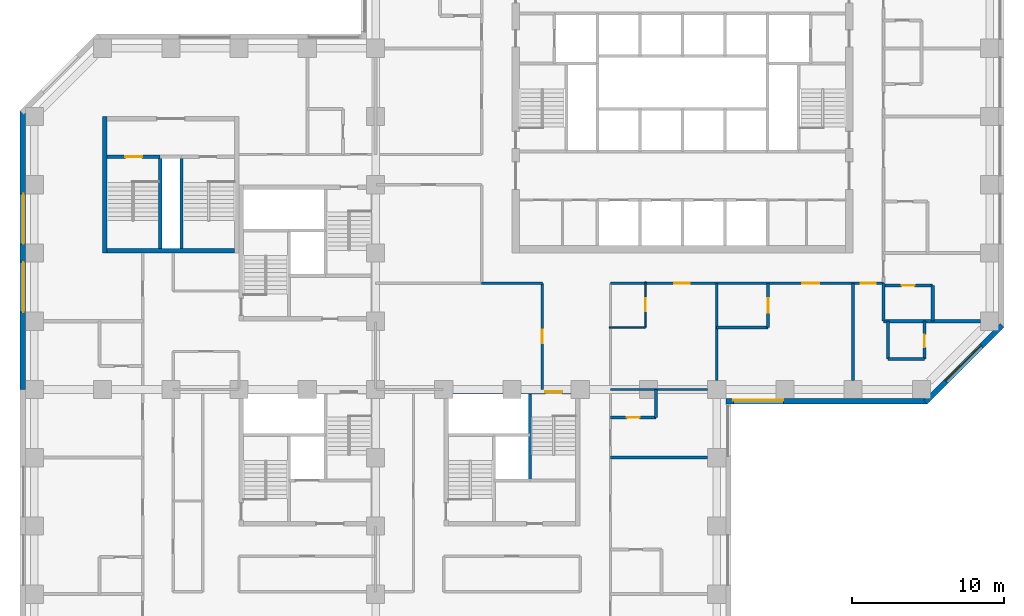
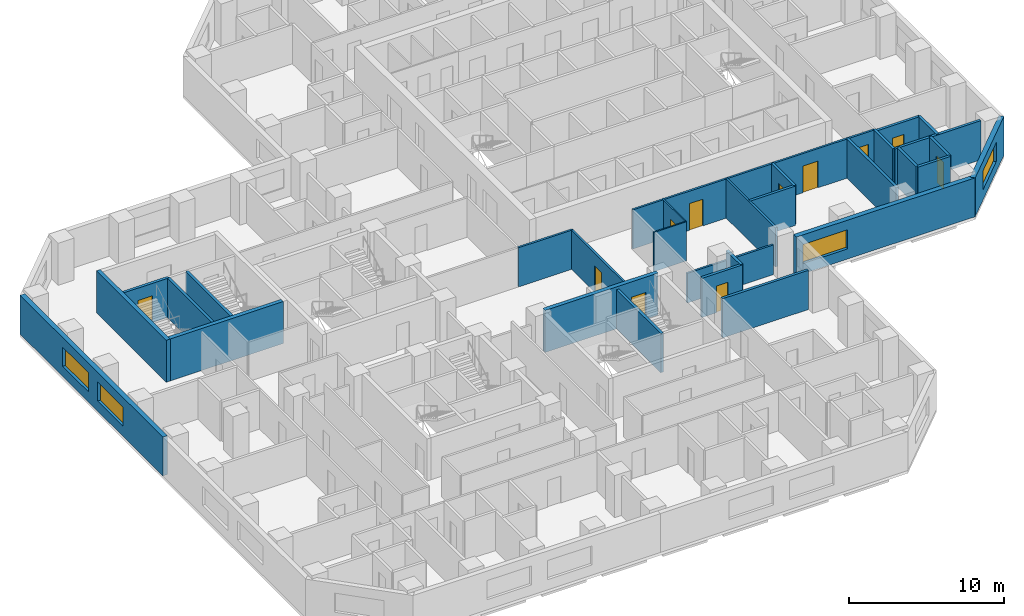
# One storey, part 5 of 12: 30 walls, 11 doors, 4 windows, 15 openings.
"""IFC4 building model written with IfcOpenShell, lengths in metres."""

from ifc_helpers import new_model, si_unit, direction, frame, frame_2d, origin, place, context, subcontext, project, spatial, rectangle, extrude, material, layer, layer_set, constituent, constituent_set, type_object, element, fill, save


model = new_model("IFC4")

# Units and contexts
model_context = context("Model", 3, precision=1e-05, world=origin(), true_north=direction((0.0, 1.0)))
body_context = subcontext(model_context, "Body", "Model", "MODEL_VIEW")
ifc_project = project(units=[si_unit("LENGTHUNIT", "METRE"), si_unit("AREAUNIT", "SQUARE_METRE"), si_unit("VOLUMEUNIT", "CUBIC_METRE"), si_unit("PLANEANGLEUNIT", "RADIAN"), si_unit("MASSUNIT", "GRAM", prefix="KILO")], contexts=[model_context])

# Site, building, storey
site_placement = place(None, origin())
site = spatial("IfcSite", under=ifc_project, at=site_placement, CompositionType="ELEMENT")
building_placement = place(site_placement, origin())
building = spatial("IfcBuilding", under=site, at=building_placement, Name="Quoin Convention Tower", CompositionType="ELEMENT")
storey_placement = place(building_placement, frame((0.0, 0.0, 46.199951171875)))
storey = spatial("IfcBuildingStorey", under=building, at=storey_placement, Name="L11", CompositionType="ELEMENT", Elevation=46.199951171875)

# Wall, opening, window
ifc_material_1 = material(Name="Brick masonry", Category="masonry")
ifc_layer_1 = layer(ifc_material_1, 0.35009765625)
ifc_layer_set_1 = layer_set([ifc_layer_1], Name="Brick masonry")
wall_type_1 = type_object("IfcWallType", Name="Brick facade wall", PredefinedType="STANDARD", material=ifc_layer_set_1)
wall_1_placement = place(storey_placement, frame((59.10009765625, 39.72509765625, 0.0), z_axis=(0.0, 0.0, 1.0), x_axis=(1.0, 0.0, 0.0)))
wall_1 = element("IfcWall", 1, at=wall_1_placement, inside=storey, type_object=wall_type_1, Name="fw-L11-58500_40500", PredefinedType="STANDARD", context=body_context, shape_type="SweptSolid", body=[
    extrude(rectangle(XDim=13.29345703125, YDim=0.35009765625, at=frame_2d((6.646728515625, 0.0))), origin(), (0.0, 0.0, 1.0), 3.054931640625),
])
opening_1_placement = place(wall_1_placement, frame((0.5, 0.0, 0.800048828125)))
opening_1 = element("IfcOpeningElement", 2, at=opening_1_placement, cuts=wall_1, Name="Opening W-01", PredefinedType="OPENING", context=body_context, shape_type="SweptSolid", body=[
    extrude(rectangle(XDim=3.300048828125, YDim=1.5, at=frame_2d((1.64990234375, 0.75))), frame((0.0, 0.18505859375, 0.0), z_axis=(0.0, -1.0, 0.0), x_axis=(1.0, 0.0, 0.0)), (0.0, 0.0, 1.0), 0.3701171875),
])
ifc_material_2 = material(Name="Aluminium", Category="aluminium")
ifc_constituent_1 = constituent(ifc_material_2, Name="Frame")
ifc_material_3 = material(Name="Insulated glass", Category="glass")
ifc_constituent_2 = constituent(ifc_material_3, Name="Glazing")
ifc_constituent_set = constituent_set(constituents=[ifc_constituent_1, ifc_constituent_2], Name="Aluminium")
window_type = type_object("IfcWindowType", Name="Hotel strip window", PartitioningType="DOUBLE_PANEL_VERTICAL", PredefinedType="WINDOW", material=ifc_constituent_set)
window_1_placement = place(opening_1_placement, origin())
window_1 = element("IfcWindow", 3, at=window_1_placement, inside=storey, type_object=window_type, Name="win-L11-60750_39725", OverallHeight=1.5, OverallWidth=3.300048828125, PartitioningType="SINGLE_PANEL", PredefinedType="WINDOW", context=body_context, shape_type="SweptSolid", body=[
    extrude(rectangle(XDim=3.300048828125, YDim=1.5, at=frame_2d((1.64990234375, 0.75))), frame((0.0, 0.0849609375, 0.0), z_axis=(0.0, -1.0, 0.0), x_axis=(1.0, 0.0, 0.0)), (0.0, 0.0, 1.0), 0.06005859375),
])
fill(opening_1, window_1)

wall_2_placement = place(storey_placement, frame((72.269775390625, 39.673583984375, 0.0), z_axis=(0.0, 0.0, 1.0), x_axis=(0.707106781187, 0.707106781187, 0.0)))
wall_2 = element("IfcWall", 4, at=wall_2_placement, inside=storey, type_object=wall_type_1, Name="fw-L11-72000_40500", PredefinedType="STANDARD", context=body_context, shape_type="SweptSolid", body=[
    extrude(rectangle(XDim=7.151123046875, YDim=0.35009765625, at=frame_2d((3.57568359375, 0.0))), origin(), (0.0, 0.0, 1.0), 3.054931640625),
])
opening_2_placement = place(wall_2_placement, frame((1.925537109375, 0.0, 0.800048828125)))
opening_2 = element("IfcOpeningElement", 5, at=opening_2_placement, cuts=wall_2, Name="Opening W-01", PredefinedType="OPENING", context=body_context, shape_type="SweptSolid", body=[
    extrude(rectangle(XDim=3.300048828125, YDim=1.5, at=frame_2d((1.64990234375, 0.75))), frame((0.0, 0.18505859375, 0.0), z_axis=(0.0, -1.0, 0.0), x_axis=(1.0, 0.0, 0.0)), (0.0, 0.0, 1.0), 0.3701171875),
])
window_2_placement = place(opening_2_placement, origin())
window_2 = element("IfcWindow", 6, at=window_2_placement, inside=storey, type_object=window_type, Name="win-L11-74798_42202", OverallHeight=1.5, OverallWidth=3.300048828125, PartitioningType="SINGLE_PANEL", PredefinedType="WINDOW", context=body_context, shape_type="SweptSolid", body=[
    extrude(rectangle(XDim=3.300048828125, YDim=1.5, at=frame_2d((1.64990234375, 0.75))), frame((0.0, 0.0849609375, 0.0), z_axis=(0.0, -1.0, 0.0), x_axis=(1.0, 0.0, 0.0)), (0.0, 0.0, 1.0), 0.06005859375),
])
fill(opening_2, window_2)

# Wall, openings, windows
wall_3_placement = place(storey_placement, frame((12.72509765625, 58.8935546875, 0.0), z_axis=(0.0, 0.0, 1.0), x_axis=(0.0, -1.0, 0.0)))
wall_3 = element("IfcWall", 7, at=wall_3_placement, inside=storey, type_object=wall_type_1, Name="fw-L11-13500_58500", PredefinedType="STANDARD", context=body_context, shape_type="SweptSolid", body=[
    extrude(rectangle(XDim=18.3935546875, YDim=0.35009765625, at=frame_2d((9.19677734375, 0.0))), origin(), (0.0, 0.0, 1.0), 3.054931640625),
])
opening_3_placement = place(wall_3_placement, frame((5.493408203125, 0.0, 0.800048828125)))
opening_3 = element("IfcOpeningElement", 8, at=opening_3_placement, cuts=wall_3, Name="Opening W-01", PredefinedType="OPENING", context=body_context, shape_type="SweptSolid", body=[
    extrude(rectangle(XDim=3.300048828125, YDim=1.5, at=frame_2d((1.64990234375, 0.75))), frame((0.0, 0.18505859375, 0.0), z_axis=(0.0, -1.0, 0.0), x_axis=(1.0, 0.0, 0.0)), (0.0, 0.0, 1.0), 0.3701171875),
])
opening_4_placement = place(wall_3_placement, frame((9.993408203125, 0.0, 0.800048828125)))
opening_4 = element("IfcOpeningElement", 9, at=opening_4_placement, cuts=wall_3, Name="Opening W-01", PredefinedType="OPENING", context=body_context, shape_type="SweptSolid", body=[
    extrude(rectangle(XDim=3.300048828125, YDim=1.5, at=frame_2d((1.64990234375, 0.75))), frame((0.0, 0.18505859375, 0.0), z_axis=(0.0, -1.0, 0.0), x_axis=(1.0, 0.0, 0.0)), (0.0, 0.0, 1.0), 0.3701171875),
])
window_3_placement = place(opening_3_placement, origin())
window_3 = element("IfcWindow", 10, at=window_3_placement, inside=storey, type_object=window_type, Name="win-L11-12725_51750", OverallHeight=1.5, OverallWidth=3.300048828125, PartitioningType="SINGLE_PANEL", PredefinedType="WINDOW", context=body_context, shape_type="SweptSolid", body=[
    extrude(rectangle(XDim=3.300048828125, YDim=1.5, at=frame_2d((1.64990234375, 0.75))), frame((0.0, 0.0849609375, 0.0), z_axis=(0.0, -1.0, 0.0), x_axis=(1.0, 0.0, 0.0)), (0.0, 0.0, 1.0), 0.06005859375),
])
fill(opening_3, window_3)
window_4_placement = place(opening_4_placement, origin())
window_4 = element("IfcWindow", 11, at=window_4_placement, inside=storey, type_object=window_type, Name="win-L11-12725_47250", OverallHeight=1.5, OverallWidth=3.300048828125, PartitioningType="SINGLE_PANEL", PredefinedType="WINDOW", context=body_context, shape_type="SweptSolid", body=[
    extrude(rectangle(XDim=3.300048828125, YDim=1.5, at=frame_2d((1.64990234375, 0.75))), frame((0.0, 0.0849609375, 0.0), z_axis=(0.0, -1.0, 0.0), x_axis=(1.0, 0.0, 0.0)), (0.0, 0.0, 1.0), 0.06005859375),
])
fill(opening_4, window_4)

# Wall
ifc_material_4 = material(Name="Concrete C50", Category="concrete")
ifc_layer_2 = layer(ifc_material_4, 0.199951171875)
ifc_layer_set_2 = layer_set([ifc_layer_2], Name="Concrete C50")
wall_type_2 = type_object("IfcWallType", Name="Core shaft wall", PredefinedType="SOLIDWALL", material=ifc_layer_set_2)
wall_4_placement = place(storey_placement, frame((46.199951171875, 34.5, 0.0), z_axis=(0.0, 0.0, 1.0), x_axis=(0.0, 1.0, 0.0)))
element("IfcWall", 12, at=wall_4_placement, inside=storey, type_object=wall_type_2, Name="cr-P3-L11-v5700_3000", PredefinedType="SOLIDWALL", context=body_context, shape_type="SweptSolid", body=[
    extrude(rectangle(XDim=5.699951171875, YDim=0.199951171875, at=frame_2d((2.85009765625, 0.0))), origin(), (0.0, 0.0, 1.0), 3.080078125),
])

# Wall, opening, door
wall_5_placement = place(storey_placement, frame((18.300048828125, 55.85009765625, 0.0), z_axis=(0.0, 0.0, 1.0), x_axis=(1.0, 0.0, 0.0)))
wall_5 = element("IfcWall", 13, at=wall_5_placement, inside=storey, type_object=wall_type_2, Name="cr-P6-L11-h6350_300", PredefinedType="SOLIDWALL", context=body_context, shape_type="SweptSolid", body=[
    extrude(rectangle(XDim=3.5, YDim=0.199951171875, at=frame_2d((1.75, 0.0))), origin(), (0.0, 0.0, 1.0), 3.080078125),
])
opening_5_placement = place(wall_5_placement, frame((1.199951171875, 0.0, 0.0)))
opening_5 = element("IfcOpeningElement", 14, at=opening_5_placement, cuts=wall_5, Name="Opening SD11", PredefinedType="OPENING", context=body_context, shape_type="SweptSolid", body=[
    extrude(rectangle(XDim=1.10009765625, YDim=2.10009765625, at=frame_2d((0.550048828125, 1.050048828125))), frame((0.0, 0.10986328125, 0.0), z_axis=(0.0, -1.0, 0.0), x_axis=(1.0, 0.0, 0.0)), (0.0, 0.0, 1.0), 0.219970703125),
])
ifc_material_5 = material(Name="Steel door leaf", Category="steel")
door_type_1 = type_object("IfcDoorType", Name="Stair door 1100 x 2100", OperationType="SINGLE_SWING_RIGHT", PredefinedType="DOOR", material=ifc_material_5)
door_1_placement = place(opening_5_placement, origin())
door_1 = element("IfcDoor", 15, at=door_1_placement, inside=storey, type_object=door_type_1, Name="cd-P6-L11-SA-R2-SD11", OperationType="SINGLE_SWING_RIGHT", OverallHeight=2.10009765625, OverallWidth=1.10009765625, PredefinedType="DOOR", context=body_context, shape_type="SweptSolid", body=[
    extrude(rectangle(XDim=1.10009765625, YDim=2.10009765625, at=frame_2d((0.550048828125, 1.050048828125))), frame((0.0, 0.02490234375, 0.0), z_axis=(0.0, -1.0, 0.0), x_axis=(1.0, 0.0, 0.0)), (0.0, 0.0, 1.0), 0.050048828125),
])
fill(opening_5, door_1)

# Walls
for number, where, z_axis, x_axis, name in (
    (16, (21.800048828125, 49.800048828125, 0.0), (0.0, 0.0, 1.0), (0.0, 1.0, 0.0), "cr-P6-L11-v3800_300"),
    (17, (23.199951171875, 49.800048828125, 0.0), (0.0, 0.0, 1.0), (0.0, 1.0, 0.0), "cr-P6-L11-v5200_300"),
):
    element("IfcWall", number, at=place(storey_placement, frame(where, z_axis=z_axis, x_axis=x_axis)), inside=storey, type_object=wall_type_2, Name=name, PredefinedType="SOLIDWALL", context=body_context, shape_type="SweptSolid", body=[
        extrude(rectangle(XDim=6.050048828125, YDim=0.199951171875, at=frame_2d((3.02490234375, 0.0))), origin(), (0.0, 0.0, 1.0), 3.080078125),
    ])

# Wall, opening, door
ifc_material_6 = material(Name="Concrete C80", Category="concrete")
ifc_layer_3 = layer(ifc_material_6, 0.300048828125)
ifc_layer_set_3 = layer_set([ifc_layer_3], Name="Concrete C80")
wall_type_3 = type_object("IfcWallType", Name="RC CORE WALL 300 C80", PredefinedType="SHEAR", material=ifc_layer_set_3)
wall_6_placement = place(storey_placement, frame((40.800048828125, 40.35009765625, 0.0), z_axis=(0.0, 0.0, 1.0), x_axis=(1.0, 0.0, 0.0)))
wall_6 = element("IfcWall", 18, at=wall_6_placement, inside=storey, type_object=wall_type_3, Name="cwl-P3-L11-N", PredefinedType="SHEAR", context=body_context, shape_type="SweptSolid", body=[
    extrude(rectangle(XDim=8.39990234375, YDim=0.300048828125, at=frame_2d((4.199951171875, 0.0))), origin(), (0.0, 0.0, 1.0), 3.300048828125),
])
opening_6_placement = place(wall_6_placement, frame((6.39990234375, 0.0, 0.0)))
opening_6 = element("IfcOpeningElement", 19, at=opening_6_placement, cuts=wall_6, Name="Opening SD6", PredefinedType="OPENING", context=body_context, shape_type="SweptSolid", body=[
    extrude(rectangle(XDim=1.10009765625, YDim=2.10009765625, at=frame_2d((0.550048828125, 1.050048828125))), frame((0.0, 0.159912109375, 0.0), z_axis=(0.0, -1.0, 0.0), x_axis=(1.0, 0.0, 0.0)), (0.0, 0.0, 1.0), 0.320068359375),
])
door_2_placement = place(opening_6_placement, frame((1.10009765625, 0.0, 0.0), z_axis=(0.0, 0.0, 1.0), x_axis=(-1.0, 0.0, 0.0)))
door_2 = element("IfcDoor", 20, at=door_2_placement, inside=storey, type_object=door_type_1, Name="cd-P3-L11-SB-N", OperationType="SINGLE_SWING_LEFT", OverallHeight=2.10009765625, OverallWidth=1.10009765625, PredefinedType="DOOR", context=body_context, shape_type="SweptSolid", body=[
    extrude(rectangle(XDim=1.10009765625, YDim=2.10009765625, at=frame_2d((0.550048828125, 1.050048828125))), frame((0.0, 0.02490234375, 0.0), z_axis=(0.0, -1.0, 0.0), x_axis=(1.0, 0.0, 0.0)), (0.0, 0.0, 1.0), 0.050048828125),
])
fill(opening_6, door_2)

# Walls
wall_7_placement = place(storey_placement, frame((18.300048828125, 49.64990234375, 0.0), z_axis=(0.0, 0.0, 1.0), x_axis=(1.0, 0.0, 0.0)))
element("IfcWall", 21, at=wall_7_placement, inside=storey, type_object=wall_type_3, Name="cwl-P6-L11-S", PredefinedType="SHEAR", context=body_context, shape_type="SweptSolid", body=[
    extrude(rectangle(XDim=8.39990234375, YDim=0.300048828125, at=frame_2d((4.199951171875, 0.0))), origin(), (0.0, 0.0, 1.0), 3.300048828125),
])
wall_8_placement = place(storey_placement, frame((18.14990234375, 49.5, 0.0), z_axis=(0.0, 0.0, 1.0), x_axis=(0.0, 1.0, 0.0)))
element("IfcWall", 22, at=wall_8_placement, inside=storey, type_object=wall_type_3, Name="cwl-P6-L11-W", PredefinedType="SHEAR", context=body_context, shape_type="SweptSolid", body=[
    extrude(rectangle(XDim=9.0, YDim=0.300048828125, at=frame_2d((4.5, 0.0))), origin(), (0.0, 0.0, 1.0), 3.300048828125),
])
ifc_layer_4 = layer(ifc_material_4, 0.199951171875)
ifc_layer_set_4 = layer_set([ifc_layer_4], Name="Concrete C50")
wall_type_4 = type_object("IfcWallType", Name="RC party wall", PredefinedType="SOLIDWALL", material=ifc_layer_set_4)
wall_9_placement = place(storey_placement, frame((51.5, 36.0, 0.0), z_axis=(0.0, 0.0, 1.0), x_axis=(1.0, 0.0, 0.0)))
element("IfcWall", 23, at=wall_9_placement, inside=storey, type_object=wall_type_4, Name="pw-L11-069", PredefinedType="SOLIDWALL", context=body_context, shape_type="SweptSolid", body=[
    extrude(rectangle(XDim=6.39990234375, YDim=0.199951171875, at=frame_2d((3.199951171875, 0.0))), origin(), (0.0, 0.0, 1.0), 3.080078125),
])

# Wall, opening, door
wall_10_placement = place(storey_placement, frame((51.5, 38.64990234375, 0.0), z_axis=(0.0, 0.0, 1.0), x_axis=(1.0, 0.0, 0.0)))
wall_10 = element("IfcWall", 24, at=wall_10_placement, inside=storey, type_object=wall_type_4, Name="pw-L11-070", PredefinedType="SOLIDWALL", context=body_context, shape_type="SweptSolid", body=[
    extrude(rectangle(XDim=3.0, YDim=0.199951171875, at=frame_2d((1.5, 0.0))), origin(), (0.0, 0.0, 1.0), 3.080078125),
])
opening_7_placement = place(wall_10_placement, frame((1.074951171875, 0.0, 0.0)))
opening_7 = element("IfcOpeningElement", 25, at=opening_7_placement, cuts=wall_10, Name="Opening DHOTEL-H-53", PredefinedType="OPENING", context=body_context, shape_type="SweptSolid", body=[
    extrude(rectangle(XDim=0.85009765625, YDim=2.10009765625, at=frame_2d((0.425048828125, 1.050048828125))), frame((0.0, 0.10986328125, 0.0), z_axis=(0.0, -1.0, 0.0), x_axis=(1.0, 0.0, 0.0)), (0.0, 0.0, 1.0), 0.219970703125),
])
door_type_2 = type_object("IfcDoorType", Name="Bathroom door", OperationType="SINGLE_SWING_LEFT", PredefinedType="DOOR", material=ifc_material_5)
door_3_placement = place(opening_7_placement, frame((0.85009765625, 0.0, 0.0), z_axis=(0.0, 0.0, 1.0), x_axis=(-1.0, 0.0, 0.0)))
door_3 = element("IfcDoor", 26, at=door_3_placement, inside=storey, type_object=door_type_2, Name="dr-L11-024", OperationType="SINGLE_SWING_RIGHT", OverallHeight=2.10009765625, OverallWidth=0.85009765625, PredefinedType="DOOR", context=body_context, shape_type="SweptSolid", body=[
    extrude(rectangle(XDim=0.85009765625, YDim=2.10009765625, at=frame_2d((0.425048828125, 1.050048828125))), frame((0.0, 0.02490234375, 0.0), z_axis=(0.0, -1.0, 0.0), x_axis=(1.0, 0.0, 0.0)), (0.0, 0.0, 1.0), 0.050048828125),
])
fill(opening_7, door_3)

# Walls
wall_11_placement = place(storey_placement, frame((54.5, 38.64990234375, 0.0), z_axis=(0.0, 0.0, 1.0), x_axis=(0.0, 1.0, 0.0)))
element("IfcWall", 27, at=wall_11_placement, inside=storey, type_object=wall_type_4, Name="pw-L11-071", PredefinedType="SOLIDWALL", context=body_context, shape_type="SweptSolid", body=[
    extrude(rectangle(XDim=1.85009765625, YDim=0.199951171875, at=frame_2d((0.925048828125, 0.0))), origin(), (0.0, 0.0, 1.0), 3.080078125),
])
wall_12_placement = place(storey_placement, frame((67.5, 41.10009765625, 0.0), z_axis=(0.0, 0.0, 1.0), x_axis=(0.0, 1.0, 0.0)))
element("IfcWall", 28, at=wall_12_placement, inside=storey, type_object=wall_type_4, Name="pw-L11-072", PredefinedType="SOLIDWALL", context=body_context, shape_type="SweptSolid", body=[
    extrude(rectangle(XDim=6.39990234375, YDim=0.199951171875, at=frame_2d((3.199951171875, 0.0))), origin(), (0.0, 0.0, 1.0), 3.080078125),
])
wall_13_placement = place(storey_placement, frame((69.800048828125, 42.5, 0.0), z_axis=(0.0, 0.0, 1.0), x_axis=(1.0, 0.0, 0.0)))
element("IfcWall", 29, at=wall_13_placement, inside=storey, type_object=wall_type_4, Name="pw-L11-075", PredefinedType="SOLIDWALL", context=body_context, shape_type="SweptSolid", body=[
    extrude(rectangle(XDim=2.39990234375, YDim=0.199951171875, at=frame_2d((1.199951171875, 0.0))), origin(), (0.0, 0.0, 1.0), 3.080078125),
])
wall_14_placement = place(storey_placement, frame((69.800048828125, 42.5, 0.0), z_axis=(0.0, 0.0, 1.0), x_axis=(0.0, 1.0, 0.0)))
element("IfcWall", 30, at=wall_14_placement, inside=storey, type_object=wall_type_4, Name="pw-L11-076", PredefinedType="SOLIDWALL", context=body_context, shape_type="SweptSolid", body=[
    extrude(rectangle(XDim=2.5, YDim=0.199951171875, at=frame_2d((1.25, 0.0))), origin(), (0.0, 0.0, 1.0), 3.080078125),
])

# Wall, opening, door
wall_15_placement = place(storey_placement, frame((72.199951171875, 42.5, 0.0), z_axis=(0.0, 0.0, 1.0), x_axis=(0.0, 1.0, 0.0)))
wall_15 = element("IfcWall", 31, at=wall_15_placement, inside=storey, type_object=wall_type_4, Name="pw-L11-077", PredefinedType="SOLIDWALL", context=body_context, shape_type="SweptSolid", body=[
    extrude(rectangle(XDim=2.5, YDim=0.199951171875, at=frame_2d((1.25, 0.0))), origin(), (0.0, 0.0, 1.0), 3.080078125),
])
opening_8_placement = place(wall_15_placement, frame((0.77490234375, 0.0, 0.0)))
opening_8 = element("IfcOpeningElement", 32, at=opening_8_placement, cuts=wall_15, Name="Opening DHOTEL-H-55", PredefinedType="OPENING", context=body_context, shape_type="SweptSolid", body=[
    extrude(rectangle(XDim=0.85009765625, YDim=2.10009765625, at=frame_2d((0.425048828125, 1.050048828125))), frame((0.0, 0.10986328125, 0.0), z_axis=(0.0, -1.0, 0.0), x_axis=(1.0, 0.0, 0.0)), (0.0, 0.0, 1.0), 0.219970703125),
])
door_4_placement = place(opening_8_placement, frame((0.85009765625, 0.0, 0.0), z_axis=(0.0, 0.0, 1.0), x_axis=(-1.0, 0.0, 0.0)))
door_4 = element("IfcDoor", 33, at=door_4_placement, inside=storey, type_object=door_type_2, Name="dr-L11-068", OperationType="SINGLE_SWING_LEFT", OverallHeight=2.10009765625, OverallWidth=0.85009765625, PredefinedType="DOOR", context=body_context, shape_type="SweptSolid", body=[
    extrude(rectangle(XDim=0.85009765625, YDim=2.10009765625, at=frame_2d((0.425048828125, 1.050048828125))), frame((0.0, 0.02490234375, 0.0), z_axis=(0.0, -1.0, 0.0), x_axis=(1.0, 0.0, 0.0)), (0.0, 0.0, 1.0), 0.050048828125),
])
fill(opening_8, door_4)

# Wall
wall_16_placement = place(storey_placement, frame((58.5, 44.60009765625, 0.0), z_axis=(0.0, 0.0, 1.0), x_axis=(1.0, 0.0, 0.0)))
element("IfcWall", 34, at=wall_16_placement, inside=storey, type_object=wall_type_4, Name="pw-L11-078", PredefinedType="SOLIDWALL", context=body_context, shape_type="SweptSolid", body=[
    extrude(rectangle(XDim=3.39990234375, YDim=0.199951171875, at=frame_2d((1.699951171875, 0.0))), origin(), (0.0, 0.0, 1.0), 3.080078125),
])

# Wall, opening, door
wall_17_placement = place(storey_placement, frame((61.89990234375, 44.60009765625, 0.0), z_axis=(0.0, 0.0, 1.0), x_axis=(0.0, 1.0, 0.0)))
wall_17 = element("IfcWall", 35, at=wall_17_placement, inside=storey, type_object=wall_type_4, Name="pw-L11-079", PredefinedType="SOLIDWALL", context=body_context, shape_type="SweptSolid", body=[
    extrude(rectangle(XDim=2.89990234375, YDim=0.199951171875, at=frame_2d((1.449951171875, 0.0))), origin(), (0.0, 0.0, 1.0), 3.080078125),
])
opening_9_placement = place(wall_17_placement, frame((0.97509765625, 0.0, 0.0)))
opening_9 = element("IfcOpeningElement", 36, at=opening_9_placement, cuts=wall_17, Name="Opening DHOTEL-H-56", PredefinedType="OPENING", context=body_context, shape_type="SweptSolid", body=[
    extrude(rectangle(XDim=0.949951171875, YDim=2.10009765625, at=frame_2d((0.47509765625, 1.050048828125))), frame((0.0, 0.10986328125, 0.0), z_axis=(0.0, -1.0, 0.0), x_axis=(1.0, 0.0, 0.0)), (0.0, 0.0, 1.0), 0.219970703125),
])
door_type_3 = type_object("IfcDoorType", Name="Accessible bathroom door", OperationType="SINGLE_SWING_LEFT", PredefinedType="DOOR", material=ifc_material_5)
door_5_placement = place(opening_9_placement, frame((0.949951171875, 0.0, 0.0), z_axis=(0.0, 0.0, 1.0), x_axis=(-1.0, 0.0, 0.0)))
door_5 = element("IfcDoor", 37, at=door_5_placement, inside=storey, type_object=door_type_3, Name="dr-L11-056", OperationType="SINGLE_SWING_LEFT", OverallHeight=2.10009765625, OverallWidth=0.949951171875, PredefinedType="DOOR", context=body_context, shape_type="SweptSolid", body=[
    extrude(rectangle(XDim=0.949951171875, YDim=2.10009765625, at=frame_2d((0.47509765625, 1.050048828125))), frame((0.0, 0.02490234375, 0.0), z_axis=(0.0, -1.0, 0.0), x_axis=(1.0, 0.0, 0.0)), (0.0, 0.0, 1.0), 0.050048828125),
])
fill(opening_9, door_5)

# Walls
wall_18_placement = place(storey_placement, frame((69.5, 45.0, 0.0), z_axis=(0.0, 0.0, 1.0), x_axis=(1.0, 0.0, 0.0)))
element("IfcWall", 38, at=wall_18_placement, inside=storey, type_object=wall_type_4, Name="pw-L11-082", PredefinedType="SOLIDWALL", context=body_context, shape_type="SweptSolid", body=[
    extrude(rectangle(XDim=6.39990234375, YDim=0.199951171875, at=frame_2d((3.199951171875, 0.0))), origin(), (0.0, 0.0, 1.0), 3.080078125),
])
wall_19_placement = place(storey_placement, frame((69.5, 45.0, 0.0), z_axis=(0.0, 0.0, 1.0), x_axis=(0.0, 1.0, 0.0)))
element("IfcWall", 39, at=wall_19_placement, inside=storey, type_object=wall_type_4, Name="pw-L11-083", PredefinedType="SOLIDWALL", context=body_context, shape_type="SweptSolid", body=[
    extrude(rectangle(XDim=2.5, YDim=0.199951171875, at=frame_2d((1.25, 0.0))), origin(), (0.0, 0.0, 1.0), 3.080078125),
])
wall_20_placement = place(storey_placement, frame((72.75, 45.0, 0.0), z_axis=(0.0, 0.0, 1.0), x_axis=(0.0, 1.0, 0.0)))
element("IfcWall", 40, at=wall_20_placement, inside=storey, type_object=wall_type_4, Name="pw-L11-084", PredefinedType="SOLIDWALL", context=body_context, shape_type="SweptSolid", body=[
    extrude(rectangle(XDim=2.35009765625, YDim=0.199951171875, at=frame_2d((1.175048828125, 0.0))), origin(), (0.0, 0.0, 1.0), 3.080078125),
])

# Wall, opening, door
wall_21_placement = place(storey_placement, frame((69.5, 47.35009765625, 0.0), z_axis=(0.0, 0.0, 1.0), x_axis=(1.0, 0.0, 0.0)))
wall_21 = element("IfcWall", 41, at=wall_21_placement, inside=storey, type_object=wall_type_4, Name="pw-L11-085", PredefinedType="SOLIDWALL", context=body_context, shape_type="SweptSolid", body=[
    extrude(rectangle(XDim=3.25, YDim=0.199951171875, at=frame_2d((1.625, 0.0))), origin(), (0.0, 0.0, 1.0), 3.080078125),
])
opening_10_placement = place(wall_21_placement, frame((1.199951171875, 0.0, 0.0)))
opening_10 = element("IfcOpeningElement", 42, at=opening_10_placement, cuts=wall_21, Name="Opening DHOTEL-H-57", PredefinedType="OPENING", context=body_context, shape_type="SweptSolid", body=[
    extrude(rectangle(XDim=0.85009765625, YDim=2.10009765625, at=frame_2d((0.425048828125, 1.050048828125))), frame((0.0, 0.10986328125, 0.0), z_axis=(0.0, -1.0, 0.0), x_axis=(1.0, 0.0, 0.0)), (0.0, 0.0, 1.0), 0.219970703125),
])
door_6_placement = place(opening_10_placement, origin())
door_6 = element("IfcDoor", 43, at=door_6_placement, inside=storey, type_object=door_type_2, Name="dr-L11-054", OperationType="SINGLE_SWING_LEFT", OverallHeight=2.10009765625, OverallWidth=0.85009765625, PredefinedType="DOOR", context=body_context, shape_type="SweptSolid", body=[
    extrude(rectangle(XDim=0.85009765625, YDim=2.10009765625, at=frame_2d((0.425048828125, 1.050048828125))), frame((0.0, 0.02490234375, 0.0), z_axis=(0.0, -1.0, 0.0), x_axis=(1.0, 0.0, 0.0)), (0.0, 0.0, 1.0), 0.050048828125),
])
fill(opening_10, door_6)

ifc_material_7 = material(Name="Plasterboard")
ifc_layer_5 = layer(ifc_material_7, 0.012451171875, Name="Finish")
ifc_material_8 = material(Name="Steel stud framing", Category="steel")
ifc_layer_6 = layer(ifc_material_8, 0.074951171875, Name="Structure")
ifc_layer_7 = layer(ifc_material_7, 0.012451171875, Name="Finish")
ifc_layer_set_5 = layer_set([ifc_layer_5, ifc_layer_6, ifc_layer_7], Name="Steel stud framing")
wall_type_5 = type_object("IfcWallType", Name="bathroom partition", PredefinedType="PARTITIONING", material=ifc_layer_set_5)
wall_22_placement = place(storey_placement, frame((53.800048828125, 47.60009765625, 0.0), z_axis=(0.0, 0.0, 1.0), x_axis=(0.0, -1.0, 0.0)))
wall_22 = element("IfcWall", 44, at=wall_22_placement, inside=storey, type_object=wall_type_5, Name="pw-L11-w01", PredefinedType="PARTITIONING", context=body_context, shape_type="SweptSolid", body=[
    extrude(rectangle(XDim=3.0, YDim=0.10009765625, at=frame_2d((1.5, 0.0))), origin(), (0.0, 0.0, 1.0), 3.080078125),
])
opening_11_placement = place(wall_22_placement, frame((1.074951171875, 0.0, 0.0)))
opening_11 = element("IfcOpeningElement", 45, at=opening_11_placement, cuts=wall_22, Name="Opening DHOTEL-H-73", PredefinedType="OPENING", context=body_context, shape_type="SweptSolid", body=[
    extrude(rectangle(XDim=0.85009765625, YDim=2.10009765625, at=frame_2d((0.425048828125, 1.050048828125))), frame((0.0, 0.06005859375, 0.0), z_axis=(0.0, -1.0, 0.0), x_axis=(1.0, 0.0, 0.0)), (0.0, 0.0, 1.0), 0.1201171875),
])
door_7_placement = place(opening_11_placement, origin())
door_7 = element("IfcDoor", 46, at=door_7_placement, inside=storey, type_object=door_type_2, Name="dr-L11-w04", OperationType="SINGLE_SWING_LEFT", OverallHeight=2.10009765625, OverallWidth=0.85009765625, PredefinedType="DOOR", context=body_context, shape_type="SweptSolid", body=[
    extrude(rectangle(XDim=0.85009765625, YDim=2.10009765625, at=frame_2d((0.425048828125, 1.050048828125))), frame((0.0, 0.02490234375, 0.0), z_axis=(0.0, -1.0, 0.0), x_axis=(1.0, 0.0, 0.0)), (0.0, 0.0, 1.0), 0.050048828125),
])
fill(opening_11, door_7)

# Wall
wall_23_placement = place(storey_placement, frame((53.800048828125, 44.60009765625, 0.0), z_axis=(0.0, 0.0, 1.0), x_axis=(-1.0, 0.0, 0.0)))
element("IfcWall", 47, at=wall_23_placement, inside=storey, type_object=wall_type_5, Name="pw-L11-w02", PredefinedType="PARTITIONING", context=body_context, shape_type="SweptSolid", body=[
    extrude(rectangle(XDim=2.400146484375, YDim=0.10009765625, at=frame_2d((1.2001953125, 0.0))), origin(), (0.0, 0.0, 1.0), 3.080078125),
])

# Wall, opening, door
ifc_layer_8 = layer(ifc_material_7, 0.012451171875, Name="Finish")
ifc_layer_9 = layer(ifc_material_8, 0.125, Name="Structure")
ifc_layer_10 = layer(ifc_material_7, 0.012451171875, Name="Finish")
ifc_layer_set_6 = layer_set([ifc_layer_8, ifc_layer_9, ifc_layer_10], Name="Steel stud framing")
wall_type_6 = type_object("IfcWallType", Name="corridor partition", PredefinedType="PARTITIONING", material=ifc_layer_set_6)
wall_24_placement = place(storey_placement, frame((47.0, 40.5, 0.0), z_axis=(0.0, 0.0, 1.0), x_axis=(0.0, 1.0, 0.0)))
wall_24 = element("IfcWall", 48, at=wall_24_placement, inside=storey, type_object=wall_type_6, Name="pw-L11-022", PredefinedType="PARTITIONING", context=body_context, shape_type="SweptSolid", body=[
    extrude(rectangle(XDim=7.0, YDim=0.14990234375, at=frame_2d((3.5, 0.0))), origin(), (0.0, 0.0, 1.0), 3.080078125),
])
opening_12_placement = place(wall_24_placement, frame((3.050048828125, 0.0, 0.0)))
opening_12 = element("IfcOpeningElement", 49, at=opening_12_placement, cuts=wall_24, Name="Opening DHOTEL-H-19", PredefinedType="OPENING", context=body_context, shape_type="SweptSolid", body=[
    extrude(rectangle(XDim=0.89990234375, YDim=2.10009765625, at=frame_2d((0.449951171875, 1.050048828125))), frame((0.0, 0.0849609375, 0.0), z_axis=(0.0, -1.0, 0.0), x_axis=(1.0, 0.0, 0.0)), (0.0, 0.0, 1.0), 0.169921875),
])
door_type_4 = type_object("IfcDoorType", Name="Single room door", OperationType="SINGLE_SWING_RIGHT", PredefinedType="DOOR", material=ifc_material_5)
door_8_placement = place(opening_12_placement, origin())
door_8 = element("IfcDoor", 50, at=door_8_placement, inside=storey, type_object=door_type_4, Name="dr-L11-078", OperationType="SINGLE_SWING_RIGHT", OverallHeight=2.10009765625, OverallWidth=0.89990234375, PredefinedType="DOOR", context=body_context, shape_type="SweptSolid", body=[
    extrude(rectangle(XDim=0.89990234375, YDim=2.10009765625, at=frame_2d((0.449951171875, 1.050048828125))), frame((0.0, 0.02490234375, 0.0), z_axis=(0.0, -1.0, 0.0), x_axis=(1.0, 0.0, 0.0)), (0.0, 0.0, 1.0), 0.050048828125),
])
fill(opening_12, door_8)

# Wall
wall_25_placement = place(storey_placement, frame((43.0, 47.5, 0.0), z_axis=(0.0, 0.0, 1.0), x_axis=(1.0, 0.0, 0.0)))
element("IfcWall", 51, at=wall_25_placement, inside=storey, type_object=wall_type_6, Name="pw-L11-026", PredefinedType="PARTITIONING", context=body_context, shape_type="SweptSolid", body=[
    extrude(rectangle(XDim=4.0, YDim=0.14990234375, at=frame_2d((2.0, 0.0))), origin(), (0.0, 0.0, 1.0), 3.080078125),
])

# Wall, openings, doors
wall_26_placement = place(storey_placement, frame((51.5, 47.5, 0.0), z_axis=(0.0, 0.0, 1.0), x_axis=(1.0, 0.0, 0.0)))
wall_26 = element("IfcWall", 52, at=wall_26_placement, inside=storey, type_object=wall_type_6, Name="pw-L11-028", PredefinedType="PARTITIONING", context=body_context, shape_type="SweptSolid", body=[
    extrude(rectangle(XDim=18.0, YDim=0.14990234375, at=frame_2d((9.0, 0.0))), origin(), (0.0, 0.0, 1.0), 3.080078125),
])
opening_13_placement = place(wall_26_placement, frame((12.64990234375, 0.0, 0.0)))
opening_13 = element("IfcOpeningElement", 53, at=opening_13_placement, cuts=wall_26, Name="Opening DHOTEL-H-22", PredefinedType="OPENING", context=body_context, shape_type="SweptSolid", body=[
    extrude(rectangle(XDim=1.10009765625, YDim=2.10009765625, at=frame_2d((0.550048828125, 1.050048828125))), frame((0.0, 0.0849609375, 0.0), z_axis=(0.0, -1.0, 0.0), x_axis=(1.0, 0.0, 0.0)), (0.0, 0.0, 1.0), 0.169921875),
])
opening_14_placement = place(wall_26_placement, frame((16.5, 0.0, 0.0)))
opening_14 = element("IfcOpeningElement", 54, at=opening_14_placement, cuts=wall_26, Name="Opening DHOTEL-H-23", PredefinedType="OPENING", context=body_context, shape_type="SweptSolid", body=[
    extrude(rectangle(XDim=1.0, YDim=2.10009765625, at=frame_2d((0.5, 1.050048828125))), frame((0.0, 0.0849609375, 0.0), z_axis=(0.0, -1.0, 0.0), x_axis=(1.0, 0.0, 0.0)), (0.0, 0.0, 1.0), 0.169921875),
])
opening_15_placement = place(wall_26_placement, frame((4.2099609375, 0.0, 0.0)))
opening_15 = element("IfcOpeningElement", 55, at=opening_15_placement, cuts=wall_26, Name="Opening DHOTEL-H-21", PredefinedType="OPENING", context=body_context, shape_type="SweptSolid", body=[
    extrude(rectangle(XDim=1.0, YDim=2.10009765625, at=frame_2d((0.5, 1.050048828125))), frame((0.0, 0.0849609375, 0.0), z_axis=(0.0, -1.0, 0.0), x_axis=(1.0, 0.0, 0.0)), (0.0, 0.0, 1.0), 0.169921875),
])
door_type_5 = type_object("IfcDoorType", Name="Accessible room door", OperationType="SINGLE_SWING_LEFT", PredefinedType="DOOR", material=ifc_material_5)
door_9_placement = place(opening_13_placement, frame((1.10009765625, 0.0, 0.0), z_axis=(0.0, 0.0, 1.0), x_axis=(-1.0, 0.0, 0.0)))
door_9 = element("IfcDoor", 56, at=door_9_placement, inside=storey, type_object=door_type_5, Name="dr-L11-055", OperationType="SINGLE_SWING_LEFT", OverallHeight=2.10009765625, OverallWidth=1.10009765625, PredefinedType="DOOR", context=body_context, shape_type="SweptSolid", body=[
    extrude(rectangle(XDim=1.10009765625, YDim=2.10009765625, at=frame_2d((0.550048828125, 1.050048828125))), frame((0.0, 0.02490234375, 0.0), z_axis=(0.0, -1.0, 0.0), x_axis=(1.0, 0.0, 0.0)), (0.0, 0.0, 1.0), 0.050048828125),
])
fill(opening_13, door_9)
door_type_6 = type_object("IfcDoorType", Name="Hotel room door", OperationType="SINGLE_SWING_LEFT", PredefinedType="DOOR", material=ifc_material_5)
door_10_placement = place(opening_14_placement, frame((1.0, 0.0, 0.0), z_axis=(0.0, 0.0, 1.0), x_axis=(-1.0, 0.0, 0.0)))
door_10 = element("IfcDoor", 57, at=door_10_placement, inside=storey, type_object=door_type_6, Name="dr-L11-067", OperationType="SINGLE_SWING_LEFT", OverallHeight=2.10009765625, OverallWidth=1.0, PredefinedType="DOOR", context=body_context, shape_type="SweptSolid", body=[
    extrude(rectangle(XDim=1.0, YDim=2.10009765625, at=frame_2d((0.5, 1.050048828125))), frame((0.0, 0.02490234375, 0.0), z_axis=(0.0, -1.0, 0.0), x_axis=(1.0, 0.0, 0.0)), (0.0, 0.0, 1.0), 0.050048828125),
])
fill(opening_14, door_10)
door_11_placement = place(opening_15_placement, frame((1.0, 0.0, 0.0), z_axis=(0.0, 0.0, 1.0), x_axis=(-1.0, 0.0, 0.0)))
door_11 = element("IfcDoor", 58, at=door_11_placement, inside=storey, type_object=door_type_6, Name="dr-L11-w03", OperationType="SINGLE_SWING_LEFT", OverallHeight=2.10009765625, OverallWidth=1.0, PredefinedType="DOOR", context=body_context, shape_type="SweptSolid", body=[
    extrude(rectangle(XDim=1.0, YDim=2.10009765625, at=frame_2d((0.5, 1.050048828125))), frame((0.0, 0.02490234375, 0.0), z_axis=(0.0, -1.0, 0.0), x_axis=(1.0, 0.0, 0.0)), (0.0, 0.0, 1.0), 0.050048828125),
])
fill(opening_15, door_11)

# Walls
ifc_layer_11 = layer(ifc_material_7, 0.012451171875, Name="Finish")
ifc_layer_12 = layer(ifc_material_8, 0.125, Name="Structure")
ifc_layer_13 = layer(ifc_material_7, 0.012451171875, Name="Finish")
ifc_layer_set_7 = layer_set([ifc_layer_11, ifc_layer_12, ifc_layer_13], Name="Steel stud framing")
wall_type_7 = type_object("IfcWallType", Name="room partition", PredefinedType="PARTITIONING", material=ifc_layer_set_7)
wall_27_placement = place(storey_placement, frame((58.5, 41.10009765625, 0.0), z_axis=(0.0, 0.0, 1.0), x_axis=(0.0, 1.0, 0.0)))
element("IfcWall", 59, at=wall_27_placement, inside=storey, type_object=wall_type_7, Name="pw-L11-155", PredefinedType="PARTITIONING", context=body_context, shape_type="SweptSolid", body=[
    extrude(rectangle(XDim=6.39990234375, YDim=0.14990234375, at=frame_2d((3.199951171875, 0.0))), origin(), (0.0, 0.0, 1.0), 3.080078125),
])
ifc_layer_14 = layer(ifc_material_7, 0.012451171875, Name="Finish")
ifc_layer_15 = layer(ifc_material_8, 0.125, Name="Structure")
ifc_layer_16 = layer(ifc_material_7, 0.012451171875, Name="Finish")
ifc_layer_set_8 = layer_set([ifc_layer_14, ifc_layer_15, ifc_layer_16], Name="Steel stud framing")
wall_type_8 = type_object("IfcWallType", Name="room partition under beam 750", PredefinedType="PARTITIONING", material=ifc_layer_set_8)
wall_28_placement = place(storey_placement, frame((51.5, 40.5, 0.0), z_axis=(0.0, 0.0, 1.0), x_axis=(1.0, 0.0, 0.0)))
element("IfcWall", 60, at=wall_28_placement, inside=storey, type_object=wall_type_8, Name="pw-L11-154", PredefinedType="PARTITIONING", context=body_context, shape_type="SweptSolid", body=[
    extrude(rectangle(XDim=6.39990234375, YDim=0.14990234375, at=frame_2d((3.199951171875, 0.0))), origin(), (0.0, 0.0, 1.0), 2.330078125),
])

save(model, "model.ifc")
